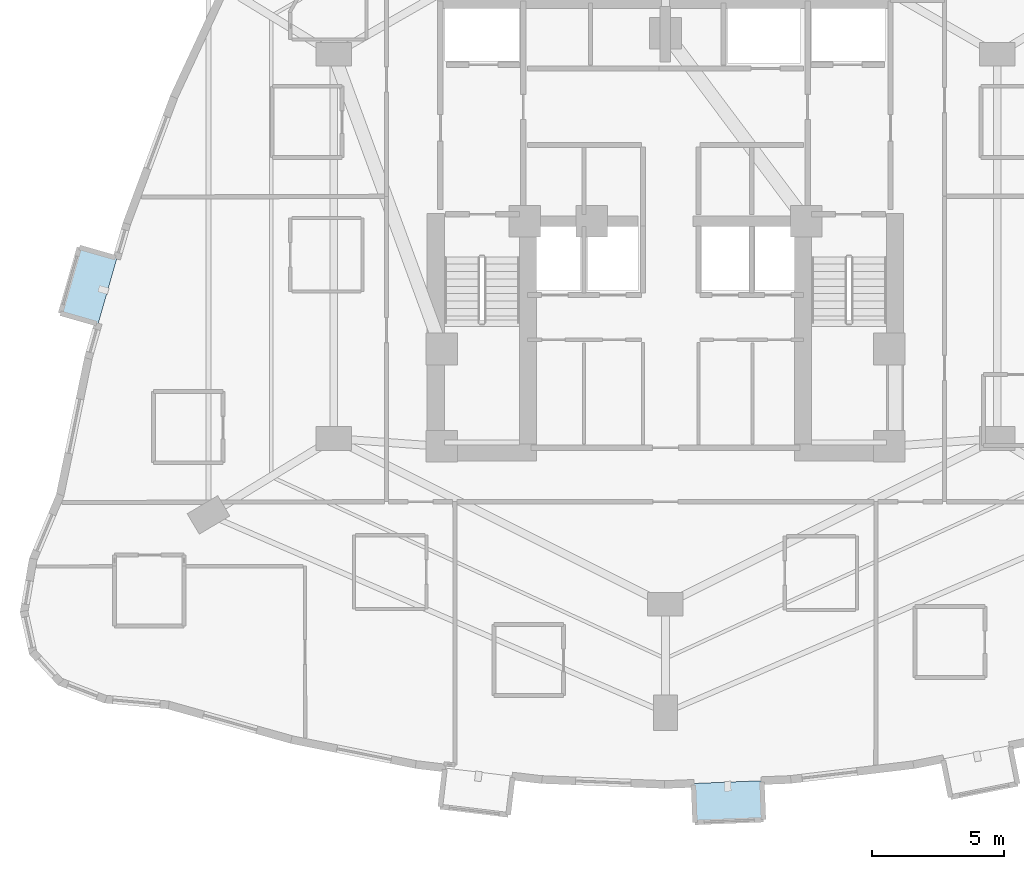
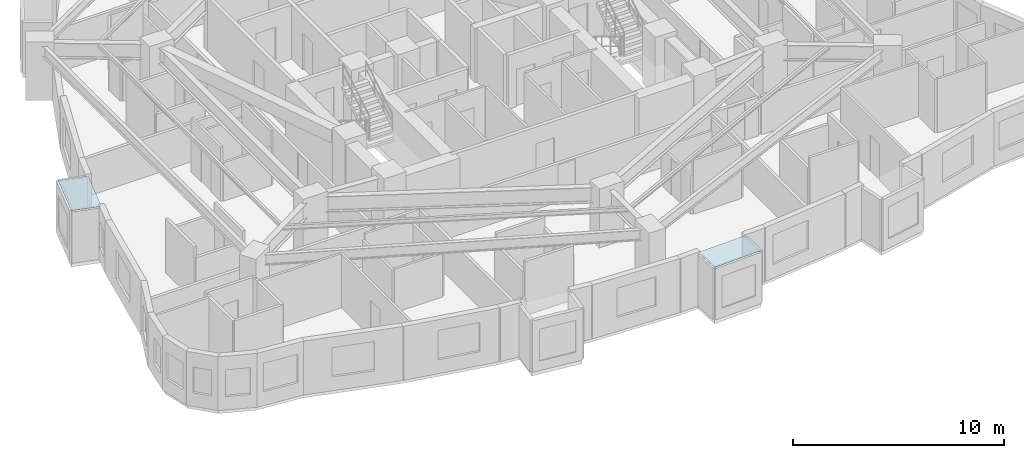
# One storey, part 3 of 13: 2 plates.
"""IFC4 building model written with IfcOpenShell, lengths in metres."""

from ifc_helpers import new_model, si_unit, direction, frame, origin, place, context, subcontext, project, spatial, polyline, outline, extrude, material, layer, layer_set, type_object, element, save


model = new_model("IFC4")

# Units and contexts
model_context = context("Model", 3, precision=1e-05, world=origin(), true_north=direction((0.0, 1.0)))
body_context = subcontext(model_context, "Body", "Model", "MODEL_VIEW")
ifc_project = project(units=[si_unit("LENGTHUNIT", "METRE"), si_unit("AREAUNIT", "SQUARE_METRE"), si_unit("VOLUMEUNIT", "CUBIC_METRE"), si_unit("PLANEANGLEUNIT", "RADIAN"), si_unit("MASSUNIT", "GRAM", prefix="KILO")], contexts=[model_context])

# Site, building, storey
site_placement = place(None, origin())
site = spatial("IfcSite", under=ifc_project, at=site_placement, CompositionType="ELEMENT")
building_placement = place(site_placement, origin())
building = spatial("IfcBuilding", under=site, at=building_placement, Name="Miruveldt Soraemaru", CompositionType="ELEMENT")
storey_placement = place(building_placement, frame((0.0, 0.0, 70.0)))
storey = spatial("IfcBuildingStorey", under=building, at=storey_placement, Name="L19", CompositionType="ELEMENT", Elevation=70.0)

# Plates
ifc_material = material(Name="Standing-seam titanium-zinc sheet", Category="aluminium")
ifc_layer = layer(ifc_material, 0.011962890625, Name="Standing-seam titanium-zinc sheet", Category="aluminium")
ifc_layer_set = layer_set([ifc_layer], Name="Standing-seam titanium-zinc sheet")
plate_type = type_object("IfcPlateType", Name="PLT-ZINC-12", PredefinedType="SHEET", material=ifc_layer_set)
plate_1_placement = place(storey_placement, frame((0.0, 0.0, 2.97509765625)))
element("IfcPlate", 1, at=plate_1_placement, inside=storey, type_object=plate_type, Name="L19 Bay Window Zinc Hood Sheet 2", PredefinedType="SHEET", context=body_context, shape_type="SweptSolid", body=[
    extrude(outline(polyline([(23.162841796875, 42.649658203125), (22.447998046875, 40.14990234375), (21.02490234375, 40.556884765625), (21.739990234375, 43.056640625), (23.162841796875, 42.649658203125)])), origin(), (0.0, 0.0, 1.0), 0.011962890625),
])
plate_2_placement = place(storey_placement, frame((0.0, 0.0, 2.97509765625)))
element("IfcPlate", 2, at=plate_2_placement, inside=storey, type_object=plate_type, Name="L19 Bay Window Zinc Hood Sheet 4", PredefinedType="SHEET", context=body_context, shape_type="SweptSolid", body=[
    extrude(outline(polyline([(45.063720703125, 22.698974609375), (47.66162109375, 22.802978515625), (47.720703125, 21.32421875), (45.122802734375, 21.22021484375), (45.063720703125, 22.698974609375)])), origin(), (0.0, 0.0, 1.0), 0.011962890625),
])

save(model, "model.ifc")
